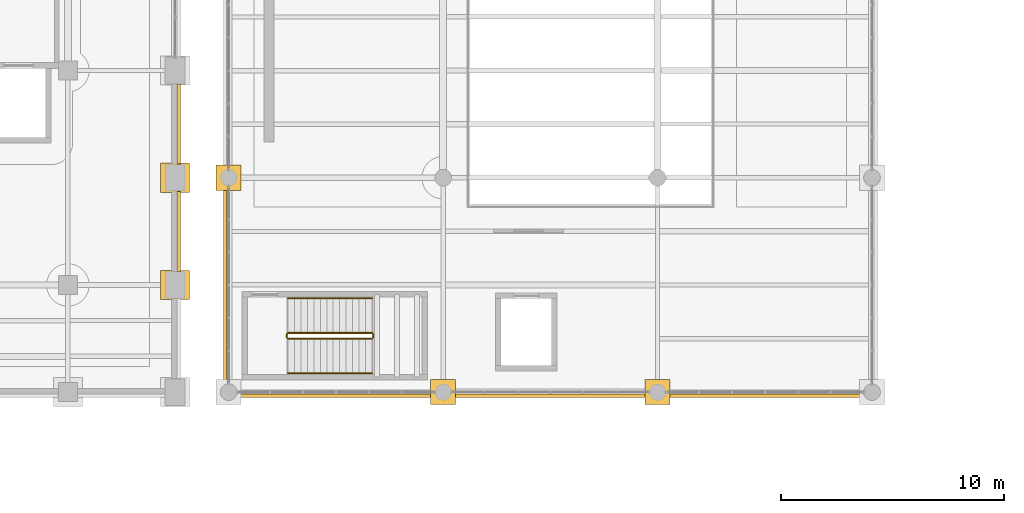
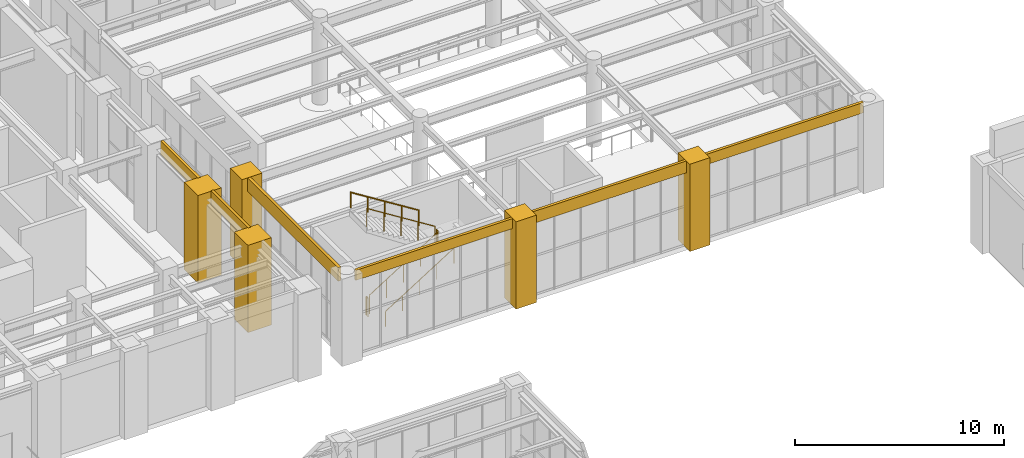
# One storey, part 157 of 174: 11 coverings, 6 railings.
"""IFC4 building model written with IfcOpenShell, lengths in metres."""

from ifc_helpers import new_model, si_unit, direction, frame, origin, origin_2d, place, context, subcontext, project, spatial, polyline, circle, outline, extrude, material, layer, layer_set, type_object, element, save


model = new_model("IFC4")

# Units and contexts
model_context = context("Model", 3, precision=1e-05, world=origin(), true_north=direction((0.0, 1.0)))
body_context = subcontext(model_context, "Body", "Model", "MODEL_VIEW")
ifc_project = project(units=[si_unit("LENGTHUNIT", "METRE"), si_unit("AREAUNIT", "SQUARE_METRE"), si_unit("VOLUMEUNIT", "CUBIC_METRE"), si_unit("PLANEANGLEUNIT", "RADIAN"), si_unit("MASSUNIT", "GRAM", prefix="KILO")], contexts=[model_context])

# Site, building, storey
site_placement = place(None, origin())
site = spatial("IfcSite", under=ifc_project, at=site_placement, CompositionType="ELEMENT")
building_placement = place(site_placement, origin())
building = spatial("IfcBuilding", under=site, at=building_placement, Name="Mavantir Sound Aquarium", CompositionType="ELEMENT")
storey_placement = place(building_placement, frame((0.0, 0.0, 5.39990234375)))
storey = spatial("IfcBuildingStorey", under=building, at=storey_placement, Name="L01", CompositionType="ELEMENT", Elevation=5.39990234375)

# Coverings
ifc_material_1 = material(Name="Honed Coral-Limestone & Glazed Terracotta Rainscreen Cladding", Category="masonry")
ifc_layer = layer(ifc_material_1, 0.06005859375, Name="Honed Coral-Limestone & Glazed Terracotta Rainscreen Cladding")
ifc_layer_set = layer_set([ifc_layer], Name="Honed Coral-Limestone & Glazed Terracotta Rainscreen Cladding")
covering_type = type_object("IfcCoveringType", Name="COV-CLAD-TC", PredefinedType="CLADDING", material=ifc_layer_set)
covering_1_placement = place(storey_placement, frame((0.0, 0.0, 4.30810546875)))
element("IfcCovering", 1, at=covering_1_placement, inside=storey, type_object=covering_type, Name="L01 Postmodern coral-limestone spandrel frieze 156", PredefinedType="CLADDING", context=body_context, shape_type="SweptSolid", body=[
    extrude(outline(polyline([(33.68994140625, 46.2080078125), (33.68994140625, 49.7919921875), (33.840087890625, 49.7919921875), (33.840087890625, 46.2080078125), (33.68994140625, 46.2080078125)])), origin(), (0.0, 0.0, 1.0), 0.7919921875),
])
covering_2_placement = place(storey_placement, frame((0.0, 0.0, 4.30810546875)))
element("IfcCovering", 2, at=covering_2_placement, inside=storey, type_object=covering_type, Name="L01 Postmodern coral-limestone spandrel frieze 157", PredefinedType="CLADDING", context=body_context, shape_type="SweptSolid", body=[
    extrude(outline(polyline([(33.68994140625, 51.008056640625), (33.68994140625, 54.592041015625), (33.840087890625, 54.592041015625), (33.840087890625, 51.008056640625), (33.68994140625, 51.008056640625)])), origin(), (0.0, 0.0, 1.0), 0.7919921875),
])
covering_3_placement = place(storey_placement, frame((0.0, 0.0, 4.299072265625)))
element("IfcCovering", 3, at=covering_3_placement, inside=storey, type_object=covering_type, Name="L01 Postmodern coral-limestone spandrel frieze 190", PredefinedType="CLADDING", context=body_context, shape_type="SweptSolid", body=[
    extrude(outline(polyline([(35.909912109375, 50.01708984375), (35.909912109375, 41.18310546875), (35.760009765625, 41.18310546875), (35.760009765625, 50.01708984375), (35.909912109375, 50.01708984375)])), origin(), (0.0, 0.0, 1.0), 0.801025390625),
])
covering_4_placement = place(storey_placement, frame((0.0, 0.0, 4.51318359375)))
element("IfcCovering", 4, at=covering_4_placement, inside=storey, type_object=covering_type, Name="L01 Postmodern coral-limestone spandrel frieze 191", PredefinedType="CLADDING", context=body_context, shape_type="SweptSolid", body=[
    extrude(outline(polyline([(36.383056640625, 40.7099609375), (45.217041015625, 40.7099609375), (45.217041015625, 40.56005859375), (36.383056640625, 40.56005859375), (36.383056640625, 40.7099609375)])), origin(), (0.0, 0.0, 1.0), 0.5869140625),
])
covering_5_placement = place(storey_placement, frame((0.0, 0.0, 4.408203125)))
element("IfcCovering", 5, at=covering_5_placement, inside=storey, type_object=covering_type, Name="L01 Postmodern coral-limestone spandrel frieze 192", PredefinedType="CLADDING", context=body_context, shape_type="SweptSolid", body=[
    extrude(outline(polyline([(45.98291015625, 40.7099609375), (54.81689453125, 40.7099609375), (54.81689453125, 40.56005859375), (45.98291015625, 40.56005859375), (45.98291015625, 40.7099609375)])), origin(), (0.0, 0.0, 1.0), 0.69189453125),
])
covering_6_placement = place(storey_placement, frame((0.0, 0.0, 4.4931640625)))
element("IfcCovering", 6, at=covering_6_placement, inside=storey, type_object=covering_type, Name="L01 Postmodern coral-limestone spandrel frieze 193", PredefinedType="CLADDING", context=body_context, shape_type="SweptSolid", body=[
    extrude(outline(polyline([(55.5830078125, 40.7099609375), (64.4169921875, 40.7099609375), (64.4169921875, 40.56005859375), (55.5830078125, 40.56005859375), (55.5830078125, 40.7099609375)])), origin(), (0.0, 0.0, 1.0), 0.60693359375),
])
covering_7_placement = place(storey_placement, origin())
element("IfcCovering", 7, at=covering_7_placement, inside=storey, type_object=covering_type, Name="L01 Postmodern coral-limestone pilaster casing 90", PredefinedType="CLADDING", context=body_context, shape_type="SweptSolid", body=[
    extrude(outline(polyline([(32.949951171875, 44.949951171875), (34.25, 44.949951171875), (34.25, 46.25), (32.949951171875, 46.25), (32.949951171875, 44.949951171875)])), origin(), (0.0, 0.0, 1.0), 5.10009765625),
])
covering_8_placement = place(storey_placement, origin())
element("IfcCovering", 8, at=covering_8_placement, inside=storey, type_object=covering_type, Name="L01 Postmodern coral-limestone pilaster casing 94", PredefinedType="CLADDING", context=body_context, shape_type="SweptSolid", body=[
    extrude(outline(polyline([(32.949951171875, 49.75), (34.25, 49.75), (34.25, 51.050048828125), (32.949951171875, 51.050048828125), (32.949951171875, 49.75)])), origin(), (0.0, 0.0, 1.0), 5.10009765625),
])
covering_9_placement = place(storey_placement, origin())
element("IfcCovering", 9, at=covering_9_placement, inside=storey, type_object=covering_type, Name="L01 Postmodern coral-limestone pilaster casing 126", PredefinedType="CLADDING", context=body_context, shape_type="SweptSolid", body=[
    extrude(outline(polyline([(35.43994140625, 49.840087890625), (36.56005859375, 49.840087890625), (36.56005859375, 50.9599609375), (35.43994140625, 50.9599609375), (35.43994140625, 49.840087890625)])), origin(), (0.0, 0.0, 1.0), 5.10009765625),
])
covering_10_placement = place(storey_placement, origin())
element("IfcCovering", 10, at=covering_10_placement, inside=storey, type_object=covering_type, Name="L01 Postmodern coral-limestone pilaster casing 135", PredefinedType="CLADDING", context=body_context, shape_type="SweptSolid", body=[
    extrude(outline(polyline([(45.0400390625, 40.239990234375), (46.159912109375, 40.239990234375), (46.159912109375, 41.360107421875), (45.0400390625, 41.360107421875), (45.0400390625, 40.239990234375)])), origin(), (0.0, 0.0, 1.0), 5.10009765625),
])
covering_11_placement = place(storey_placement, origin())
element("IfcCovering", 11, at=covering_11_placement, inside=storey, type_object=covering_type, Name="L01 Postmodern coral-limestone pilaster casing 143", PredefinedType="CLADDING", context=body_context, shape_type="SweptSolid", body=[
    extrude(outline(polyline([(54.639892578125, 40.239990234375), (55.760009765625, 40.239990234375), (55.760009765625, 41.360107421875), (54.639892578125, 41.360107421875), (54.639892578125, 40.239990234375)])), origin(), (0.0, 0.0, 1.0), 5.10009765625),
])

# Railings
ifc_material_2 = material(Name="Stainless Steel 316 and Laminated Glass Guardrail", Category="steel")
railing_type_1 = type_object("IfcRailingType", Name="RL-GUARD-110", PredefinedType="GUARDRAIL", material=ifc_material_2)
railing_1_placement = place(storey_placement, frame((38.64990234375, 43.199951171875, 0.18212890625)))
element("IfcRailing", 12, at=railing_1_placement, inside=storey, type_object=railing_type_1, Name="L01 ST8 stair guard 1", PredefinedType="GUARDRAIL", context=body_context, shape_type="SweptSolid", body=[
    extrude(circle(Radius=0.02392578125, at=origin_2d()), frame((0.0, 0.0, 1.076171875), z_axis=(0.846819337722, 0.0, 0.53188063441), x_axis=(0.0, 1.0, 0.0)), (0.0, 0.0, 1.0), 4.451904296875),
    extrude(circle(Radius=0.02099609375, at=origin_2d()), origin(), (0.0, 0.0, 1.0), 1.052001953125),
    extrude(circle(Radius=0.02099609375, at=origin_2d()), frame((0.9423828125, 0.0, 0.592041015625)), (0.0, 0.0, 1.0), 1.052001953125),
    extrude(circle(Radius=0.02099609375, at=origin_2d()), frame((1.885009765625, 0.0, 1.18408203125)), (0.0, 0.0, 1.0), 1.052001953125),
    extrude(circle(Radius=0.02099609375, at=origin_2d()), frame((2.82763671875, 0.0, 1.77587890625)), (0.0, 0.0, 1.0), 1.052001953125),
    extrude(circle(Radius=0.02099609375, at=origin_2d()), frame((3.77001953125, 0.0, 2.367919921875)), (0.0, 0.0, 1.0), 1.052001953125),
])
railing_2_placement = place(storey_placement, frame((42.469970703125, 43.25, 2.550048828125)))
element("IfcRailing", 13, at=railing_2_placement, inside=storey, type_object=railing_type_1, Name="L01 ST8 stair guard 2", PredefinedType="GUARDRAIL", context=body_context, shape_type="SweptSolid", body=[
    extrude(circle(Radius=0.02392578125, at=origin_2d()), frame((0.0, 0.0, 1.076171875), z_axis=(0.0, 1.0, 0.0), x_axis=(-1.0, 0.0, 0.0)), (0.0, 0.0, 1.0), 0.14990234375),
    extrude(circle(Radius=0.02099609375, at=origin_2d()), origin(), (0.0, 0.0, 1.0), 1.052001953125),
    extrude(circle(Radius=0.02099609375, at=origin_2d()), frame((0.0, 0.14990234375, 0.0)), (0.0, 0.0, 1.0), 1.052001953125),
])
railing_3_placement = place(storey_placement, frame((42.419921875, 43.449951171875, 2.732177734375)))
element("IfcRailing", 14, at=railing_3_placement, inside=storey, type_object=railing_type_1, Name="L01 ST8 stair guard 3", PredefinedType="GUARDRAIL", context=body_context, shape_type="SweptSolid", body=[
    extrude(circle(Radius=0.02392578125, at=origin_2d()), frame((0.0, 0.0, 1.076171875), z_axis=(-0.846819337722, 0.0, 0.53188063441), x_axis=(0.0, -1.0, 0.0)), (0.0, 0.0, 1.0), 4.451904296875),
    extrude(circle(Radius=0.02099609375, at=origin_2d()), origin(), (0.0, 0.0, 1.0), 1.052001953125),
    extrude(circle(Radius=0.02099609375, at=origin_2d()), frame((-0.9423828125, 0.0, 0.592041015625)), (0.0, 0.0, 1.0), 1.052001953125),
    extrude(circle(Radius=0.02099609375, at=origin_2d()), frame((-1.885009765625, 0.0, 1.18408203125)), (0.0, 0.0, 1.0), 1.052001953125),
    extrude(circle(Radius=0.02099609375, at=origin_2d()), frame((-2.82763671875, 0.0, 1.77587890625)), (0.0, 0.0, 1.0), 1.052001953125),
    extrude(circle(Radius=0.02099609375, at=origin_2d()), frame((-3.77001953125, 0.0, 2.367919921875)), (0.0, 0.0, 1.0), 1.052001953125),
])
railing_4_placement = place(storey_placement, frame((38.60009765625, 43.25, 0.0)))
element("IfcRailing", 15, at=railing_4_placement, inside=storey, type_object=railing_type_1, Name="L01 ST8 stair guard 4", PredefinedType="GUARDRAIL", context=body_context, shape_type="SweptSolid", body=[
    extrude(circle(Radius=0.02392578125, at=origin_2d()), frame((0.0, 0.0, 1.076171875), z_axis=(0.0, 1.0, 0.0), x_axis=(-1.0, 0.0, 0.0)), (0.0, 0.0, 1.0), 0.14990234375),
    extrude(circle(Radius=0.02099609375, at=origin_2d()), origin(), (0.0, 0.0, 1.0), 1.052001953125),
    extrude(circle(Radius=0.02099609375, at=origin_2d()), frame((0.0, 0.14990234375, 0.0)), (0.0, 0.0, 1.0), 1.052001953125),
])
ifc_material_3 = material(Name="Brushed Stainless Steel 316 Handrail", Category="steel")
railing_type_2 = type_object("IfcRailingType", Name="RL-HR-90", PredefinedType="HANDRAIL", material=ifc_material_3)
railing_5_placement = place(storey_placement, frame((38.64990234375, 41.64990234375, 0.3671875)))
element("IfcRailing", 16, at=railing_5_placement, inside=storey, type_object=railing_type_2, Name="L01 ST8 stair handrail 1", PredefinedType="HANDRAIL", context=body_context, shape_type="SweptSolid", body=[
    extrude(circle(Radius=0.02392578125, at=origin_2d()), frame((0.0, 0.0, 0.89111328125), z_axis=(0.846819337722, 0.0, 0.53188063441), x_axis=(0.0, 1.0, 0.0)), (0.0, 0.0, 1.0), 4.451904296875),
    extrude(circle(Radius=0.02099609375, at=origin_2d()), origin(), (0.0, 0.0, 1.0), 0.866943359375),
    extrude(circle(Radius=0.02099609375, at=origin_2d()), frame((0.9423828125, 0.0, 0.592041015625)), (0.0, 0.0, 1.0), 0.866943359375),
    extrude(circle(Radius=0.02099609375, at=origin_2d()), frame((1.885009765625, 0.0, 1.18408203125)), (0.0, 0.0, 1.0), 0.866943359375),
    extrude(circle(Radius=0.02099609375, at=origin_2d()), frame((2.82763671875, 0.0, 1.77587890625)), (0.0, 0.0, 1.0), 0.866943359375),
    extrude(circle(Radius=0.02099609375, at=origin_2d()), frame((3.77001953125, 0.0, 2.367919921875)), (0.0, 0.0, 1.0), 0.866943359375),
])
railing_6_placement = place(storey_placement, frame((42.419921875, 45.0, 2.917236328125)))
element("IfcRailing", 17, at=railing_6_placement, inside=storey, type_object=railing_type_2, Name="L01 ST8 stair handrail 2", PredefinedType="HANDRAIL", context=body_context, shape_type="SweptSolid", body=[
    extrude(circle(Radius=0.02392578125, at=origin_2d()), frame((0.0, 0.0, 0.89111328125), z_axis=(-0.846819337722, 0.0, 0.53188063441), x_axis=(0.0, -1.0, 0.0)), (0.0, 0.0, 1.0), 4.451904296875),
    extrude(circle(Radius=0.02099609375, at=origin_2d()), origin(), (0.0, 0.0, 1.0), 0.866943359375),
    extrude(circle(Radius=0.02099609375, at=origin_2d()), frame((-0.9423828125, 0.0, 0.592041015625)), (0.0, 0.0, 1.0), 0.866943359375),
    extrude(circle(Radius=0.02099609375, at=origin_2d()), frame((-1.885009765625, 0.0, 1.18408203125)), (0.0, 0.0, 1.0), 0.866943359375),
    extrude(circle(Radius=0.02099609375, at=origin_2d()), frame((-2.82763671875, 0.0, 1.77587890625)), (0.0, 0.0, 1.0), 0.866943359375),
    extrude(circle(Radius=0.02099609375, at=origin_2d()), frame((-3.77001953125, 0.0, 2.367919921875)), (0.0, 0.0, 1.0), 0.866943359375),
])

save(model, "model.ifc")
